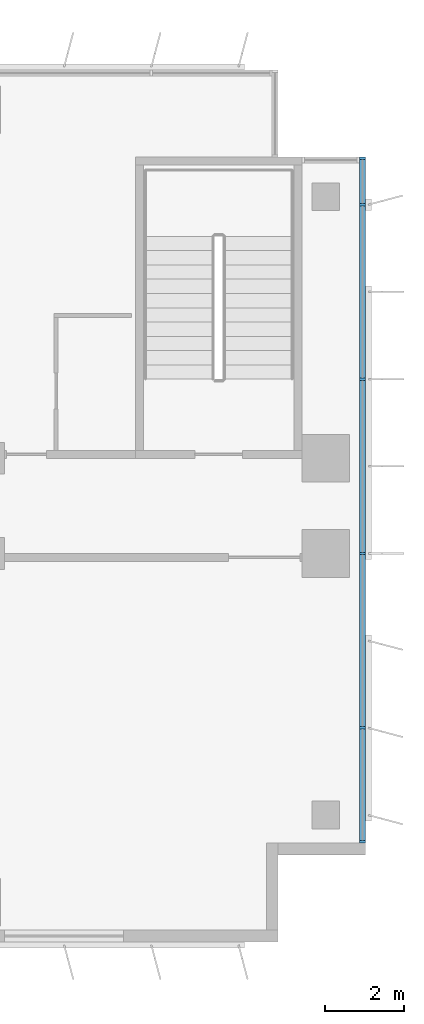
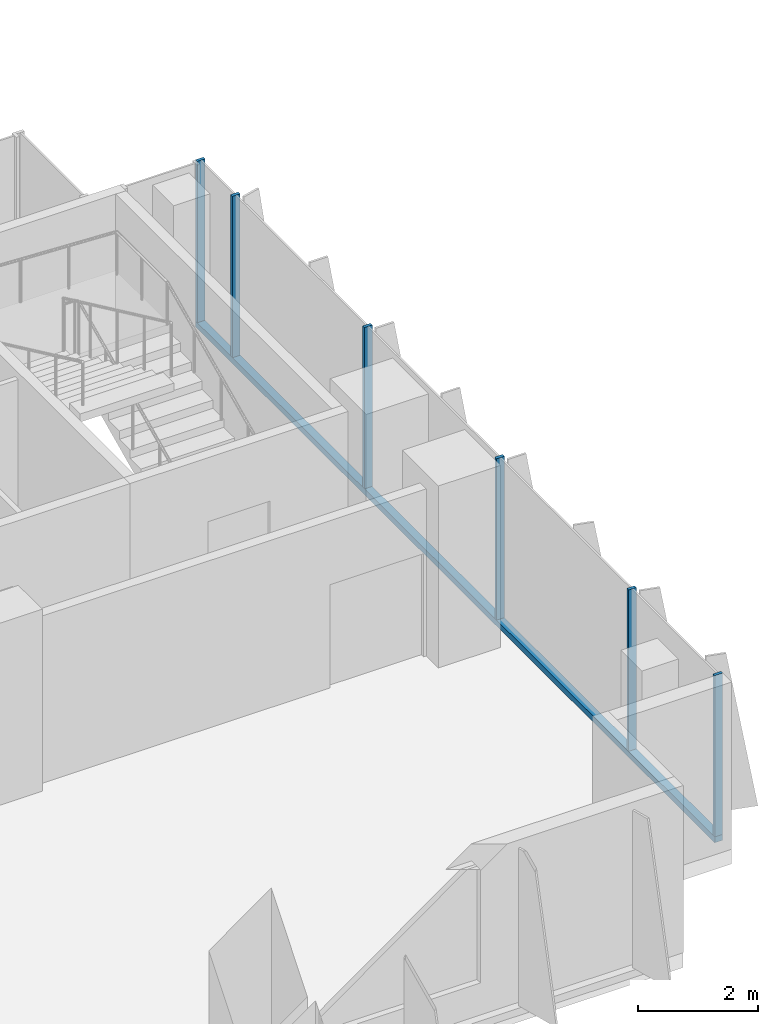
# One storey, part 8 of 22: 7 members, 1 element without a shape of its own.
"""IFC4 building model written with IfcOpenShell, lengths in metres."""

from ifc_helpers import new_model, si_unit, direction, frame, origin, origin_2d, place, context, subcontext, project, spatial, rectangle, extrude, source, transform, mapped, material, material_profile, profile_set, type_object, element, aggregate, save


model = new_model("IFC4")

# Units and contexts
model_context = context("Model", 3, precision=1e-05, world=origin(), true_north=direction((0.0, 1.0)))
body_context = subcontext(model_context, "Body", "Model", "MODEL_VIEW")
ifc_project = project(units=[si_unit("LENGTHUNIT", "METRE"), si_unit("AREAUNIT", "SQUARE_METRE"), si_unit("VOLUMEUNIT", "CUBIC_METRE"), si_unit("PLANEANGLEUNIT", "RADIAN"), si_unit("MASSUNIT", "GRAM", prefix="KILO")], contexts=[model_context])

# Site, building, storey
site_placement = place(None, origin())
site = spatial("IfcSite", under=ifc_project, at=site_placement, CompositionType="ELEMENT")
building_placement = place(site_placement, origin())
building = spatial("IfcBuilding", under=site, at=building_placement, Name="Kemantara Hotel Tower", CompositionType="ELEMENT")
storey_placement = place(building_placement, frame((0.0, 0.0, 111.10009765625)))
storey = spatial("IfcBuildingStorey", under=building, at=storey_placement, Name="L26", CompositionType="ELEMENT", Elevation=111.10009765625)

# Curtain wall, members
ifc_material_1 = material(Name="Low-E tinted double insulated glass 36 mm", Category="glass")
curtain_wall_type = type_object("IfcCurtainWallType", Name="TOWER CURTAIN WALL, FRONT FACES", PredefinedType="USERDEFINED", material=ifc_material_1)
curtain_wall_placement = place(storey_placement, origin())
curtain_wall = element("IfcCurtainWall", 1, at=curtain_wall_placement, inside=storey, type_object=curtain_wall_type, Name="CW4 L26 T2-R10-1", ObjectType="TOWER CURTAIN WALL, FRONT FACES", PredefinedType="USERDEFINED")
ifc_material_2 = material(Name="Aluminium 6063-T6 bronze anodised", Category="aluminium")
ifc_material_profile_1 = material_profile(ifc_material_2, rectangle(XDim=0.14990234375, YDim=0.1201171875, at=origin_2d()), Name="TOWER CURTAIN WALL, FRONT FACES TRANSOM")
ifc_profile_set_1 = profile_set([ifc_material_profile_1], Name="Aluminium 6063-T6 bronze anodised")
member_type_1 = type_object("IfcMemberType", Name="TOWER CURTAIN WALL, FRONT FACES TRANSOM", PredefinedType="USERDEFINED", material=ifc_profile_set_1)
member_1_placement = place(storey_placement, frame((63.52490234375, 2.5, 0.059814453125), z_axis=(0.0, 1.0, 0.0), x_axis=(-1.0, 0.0, 0.0)))
member_1 = element("IfcMember", 2, at=member_1_placement, type_object=member_type_1, Name="CW4 sill transom T2-R10-1", ObjectType="TRANSOM", PredefinedType="USERDEFINED", context=body_context, shape_type="SweptSolid", body=[
    extrude(rectangle(XDim=0.14990234375, YDim=0.1201171875, at=origin_2d()), origin(), (0.0, 0.0, 1.0), 17.300048828125),
])
ifc_material_profile_2 = material_profile(ifc_material_2, rectangle(XDim=0.14990234375, YDim=0.06005859375, at=origin_2d()), Name="TOWER CURTAIN WALL, FRONT FACES MULLION")
ifc_profile_set_2 = profile_set([ifc_material_profile_2], Name="Aluminium 6063-T6 bronze anodised")
member_type_2 = type_object("IfcMemberType", Name="TOWER CURTAIN WALL, FRONT FACES MULLION", PredefinedType="MULLION", material=ifc_profile_set_2)
shared_shape = source(origin(), body_context, "Body", "SweptSolid", [
    extrude(rectangle(XDim=0.14990234375, YDim=0.06005859375, at=origin_2d()), origin(), (0.0, 0.0, 1.0), 3.280029296875),
])
member_2_placement = place(storey_placement, frame((63.52490234375, 2.530029296875, 0.119873046875), z_axis=(0.0, 0.0, 1.0), x_axis=(-1.0, 0.0, 0.0)))
member_2 = element("IfcMember", 3, at=member_2_placement, type_object=member_type_2, Name="CW4 mullion T2-R10-1.1", PredefinedType="MULLION", context=body_context, shape_type="MappedRepresentation", body=[
    mapped(shared_shape, transform((0.0, 0.0, 0.0))),
])
member_3_placement = place(storey_placement, frame((63.52490234375, 5.39990234375, 0.119873046875), z_axis=(0.0, 0.0, 1.0), x_axis=(-1.0, 0.0, 0.0)))
member_3 = element("IfcMember", 4, at=member_3_placement, type_object=member_type_2, Name="CW4 mullion T2-R10-1.2", PredefinedType="MULLION", context=body_context, shape_type="MappedRepresentation", body=[
    mapped(shared_shape, transform((0.0, 0.0, 0.0))),
])
member_4_placement = place(storey_placement, frame((63.52490234375, 9.800048828125, 0.119873046875), z_axis=(0.0, 0.0, 1.0), x_axis=(-1.0, 0.0, 0.0)))
member_4 = element("IfcMember", 5, at=member_4_placement, type_object=member_type_2, Name="CW4 mullion T2-R10-1.3", PredefinedType="MULLION", context=body_context, shape_type="MappedRepresentation", body=[
    mapped(shared_shape, transform((0.0, 0.0, 0.0))),
])
member_5_placement = place(storey_placement, frame((63.52490234375, 14.199951171875, 0.119873046875), z_axis=(0.0, 0.0, 1.0), x_axis=(-1.0, 0.0, 0.0)))
member_5 = element("IfcMember", 6, at=member_5_placement, type_object=member_type_2, Name="CW4 mullion T2-R10-1.4", PredefinedType="MULLION", context=body_context, shape_type="MappedRepresentation", body=[
    mapped(shared_shape, transform((0.0, 0.0, 0.0))),
])
member_6_placement = place(storey_placement, frame((63.52490234375, 18.60009765625, 0.119873046875), z_axis=(0.0, 0.0, 1.0), x_axis=(-1.0, 0.0, 0.0)))
member_6 = element("IfcMember", 7, at=member_6_placement, type_object=member_type_2, Name="CW4 mullion T2-R10-1.5", PredefinedType="MULLION", context=body_context, shape_type="MappedRepresentation", body=[
    mapped(shared_shape, transform((0.0, 0.0, 0.0))),
])
member_7_placement = place(storey_placement, frame((63.52490234375, 19.77001953125, 0.119873046875), z_axis=(0.0, 0.0, 1.0), x_axis=(-1.0, 0.0, 0.0)))
member_7 = element("IfcMember", 8, at=member_7_placement, type_object=member_type_2, Name="CW4 mullion T2-R10-1.6", PredefinedType="MULLION", context=body_context, shape_type="MappedRepresentation", body=[
    mapped(shared_shape, transform((0.0, 0.0, 0.0))),
])
aggregate(curtain_wall, [member_1, member_2, member_3, member_4, member_5, member_6, member_7])

save(model, "model.ifc")
